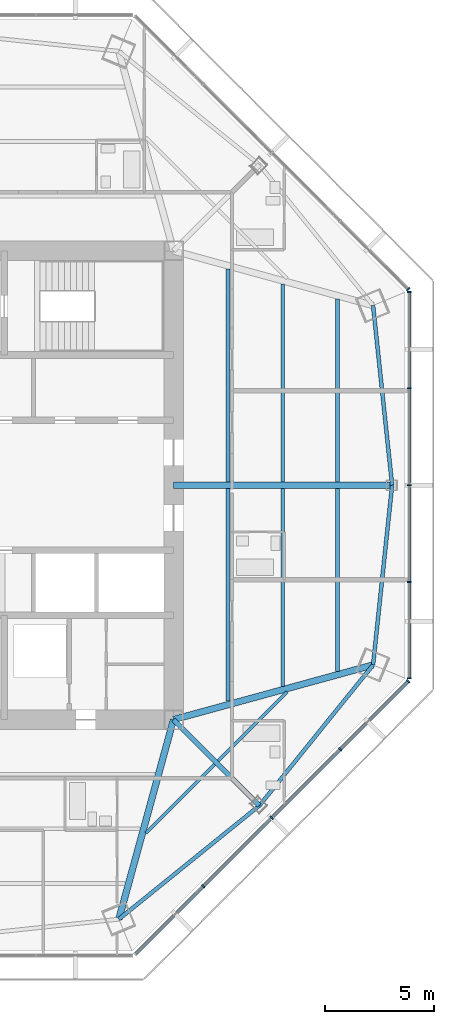
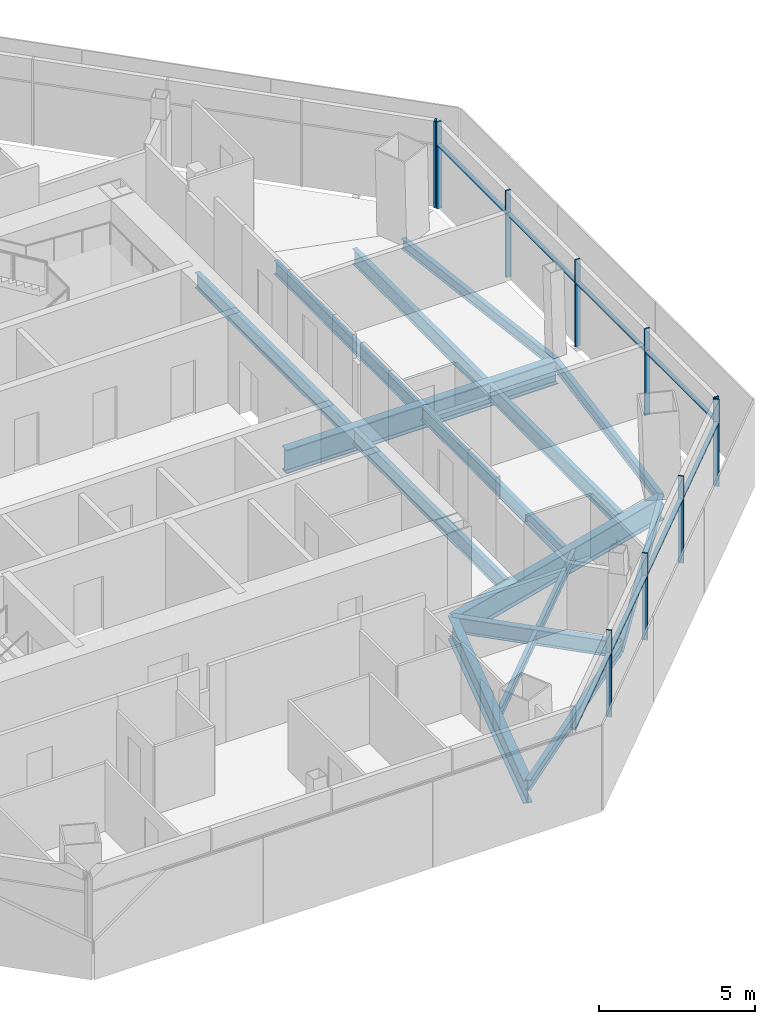
# One storey, part 4 of 15: 18 members, 16 beams, 3 elements without a shape of their own.
"""IFC4 building model written with IfcOpenShell, lengths in metres."""

from ifc_helpers import new_model, si_unit, direction, frame, origin, origin_2d, place, context, subcontext, project, spatial, rectangle, i_section, extrude, source, transform, mapped, material, material_profile, profile_set, type_object, type_shapes, element, aggregate, save


model = new_model("IFC4")

# Units and contexts
model_context = context("Model", 3, precision=1e-05, world=origin(), true_north=direction((0.0, 1.0)))
body_context = subcontext(model_context, "Body", "Model", "MODEL_VIEW")
ifc_project = project(units=[si_unit("LENGTHUNIT", "METRE"), si_unit("AREAUNIT", "SQUARE_METRE"), si_unit("VOLUMEUNIT", "CUBIC_METRE"), si_unit("PLANEANGLEUNIT", "RADIAN"), si_unit("MASSUNIT", "GRAM", prefix="KILO")], contexts=[model_context])

# Site, building, storey
site_placement = place(None, origin())
site = spatial("IfcSite", under=ifc_project, at=site_placement, CompositionType="ELEMENT")
building_placement = place(site_placement, origin())
building = spatial("IfcBuilding", under=site, at=building_placement, Name="Mashrafa Tower", CompositionType="ELEMENT")
storey_placement = place(building_placement, frame((0.0, 0.0, 224.39990234375)))
storey = spatial("IfcBuildingStorey", under=building, at=storey_placement, Name="L52", CompositionType="ELEMENT", Elevation=224.39990234375)

# Beams
ifc_material_1 = material(Name="Steel ASTM A992", Category="steel")
ifc_material_profile_1 = material_profile(ifc_material_1, i_section(OverallWidth=0.140380859375, OverallDepth=0.40380859375, WebThickness=0.007080078125, FlangeThickness=0.01123046875, FilletRadius=0.01025390625, at=origin_2d()), Name="W16X31")
ifc_profile_set_1 = profile_set([ifc_material_profile_1], Name="Steel ASTM A992")
beam_type_1 = type_object("IfcBeamType", Name="Beam W16X31", PredefinedType="BEAM", material=ifc_profile_set_1)
for number, where, z_axis, x_axis, name in (
    (1, (12.698486328125, -12.860595703125, -0.40185546875), (-0.707106781187, -0.707106781187, 0.0), (0.707106781187, -0.707106781187, 0.0), "Floor beam L52 024"),
    (2, (16.03466796875, -9.5244140625, -0.40185546875), (-0.707106781187, -0.707106781187, 0.0), (0.707106781187, -0.707106781187, 0.0), "Floor beam L52 030"),
):
    element("IfcBeam", number, at=place(storey_placement, frame(where, z_axis=z_axis, x_axis=x_axis)), inside=storey, type_object=beam_type_1, Name=name, PredefinedType="BEAM", context=body_context, shape_type="SweptSolid", body=[
        extrude(i_section(OverallWidth=0.140380859375, OverallDepth=0.40380859375, WebThickness=0.007080078125, FlangeThickness=0.01123046875, FilletRadius=0.01025390625, at=origin_2d()), origin(), (0.0, 0.0, 1.0), 4.48876953125),
    ])
ifc_material_2 = material(Name="Steel ASTM A992", Category="steel")
ifc_material_profile_2 = material_profile(ifc_material_2, i_section(OverallWidth=0.177734375, OverallDepth=0.406494140625, WebThickness=0.0078125, FlangeThickness=0.012939453125, FilletRadius=0.01025390625, at=origin_2d()), Name="W16X40")
ifc_profile_set_2 = profile_set([ifc_material_profile_2], Name="Steel ASTM A992")
beam_type_2 = type_object("IfcBeamType", Name="Beam W16X40", PredefinedType="BEAM", material=ifc_profile_set_2)
for number, where, z_axis, x_axis, name in (
    (3, (8.281982421875, -19.994140625, -0.403076171875), (0.777727295648, 0.628601824372, 0.0), (-0.628601824372, 0.777727295648, 0.0), "Spandrel beam L52 058"),
    (4, (14.759033203125, -14.759033203125, -0.403076171875), (0.628601824372, 0.777727295648, 0.0), (-0.777727295648, 0.628601824372, 0.0), "Spandrel beam L52 060"),
):
    element("IfcBeam", number, at=place(storey_placement, frame(where, z_axis=z_axis, x_axis=x_axis)), inside=storey, type_object=beam_type_2, Name=name, PredefinedType="BEAM", context=body_context, shape_type="SweptSolid", body=[
        extrude(i_section(OverallWidth=0.177734375, OverallDepth=0.406494140625, WebThickness=0.0078125, FlangeThickness=0.012939453125, FilletRadius=0.01025390625, at=origin_2d()), origin(), (0.0, 0.0, 1.0), 8.328125),
    ])
for number, where, z_axis, x_axis, name in (
    (5, (19.994140625, -8.281982421875, -0.403076171875), (0.105443148365, 0.994425332774, 0.0), (-0.994425332774, 0.105443148365, 0.0), "Spandrel beam L52 062"),
    (6, (20.872314453125, 0.0, -0.403076171875), (-0.105443148365, 0.994425332774, 0.0), (-0.994425332774, -0.105443148365, 0.0), "Spandrel beam L52 064"),
):
    element("IfcBeam", number, at=place(storey_placement, frame(where, z_axis=z_axis, x_axis=x_axis)), inside=storey, type_object=beam_type_2, Name=name, PredefinedType="BEAM", context=body_context, shape_type="SweptSolid", body=[
        extrude(i_section(OverallWidth=0.177734375, OverallDepth=0.406494140625, WebThickness=0.0078125, FlangeThickness=0.012939453125, FilletRadius=0.01025390625, at=origin_2d()), origin(), (0.0, 0.0, 1.0), 8.328369140625),
    ])
ifc_material_3 = material(Name="Steel ASTM A992", Category="steel")
ifc_material_profile_3 = material_profile(ifc_material_3, i_section(OverallWidth=0.1650390625, OverallDepth=0.52587890625, WebThickness=0.0087890625, FlangeThickness=0.011474609375, FilletRadius=0.0126953125, at=origin_2d()), Name="W21X44")
ifc_profile_set_3 = profile_set([ifc_material_profile_3], Name="Steel ASTM A992")
beam_type_3 = type_object("IfcBeamType", Name="Beam W21X44", PredefinedType="BEAM", material=ifc_profile_set_3)
for number, where, z_axis, x_axis, name in (
    (7, (15.836181640625, -0.15380859375, -0.462890625), (0.0, -1.0, 0.0), (1.0, 0.0, 0.0), "Floor beam L52 028"),
    (8, (15.836181640625, 9.2626953125, -0.462890625), (0.0, -1.0, 0.0), (1.0, 0.0, 0.0), "Floor beam L52 029"),
):
    element("IfcBeam", number, at=place(storey_placement, frame(where, z_axis=z_axis, x_axis=x_axis)), inside=storey, type_object=beam_type_3, Name=name, PredefinedType="BEAM", context=body_context, shape_type="SweptSolid", body=[
        extrude(i_section(OverallWidth=0.1650390625, OverallDepth=0.52587890625, WebThickness=0.0087890625, FlangeThickness=0.011474609375, FilletRadius=0.0126953125, at=origin_2d()), origin(), (0.0, 0.0, 1.0), 9.10888671875),
    ])
ifc_material_4 = material(Name="Steel ASTM A992", Category="steel")
ifc_material_profile_4 = material_profile(ifc_material_4, i_section(OverallWidth=0.177978515625, OverallDepth=0.599365234375, WebThickness=0.010009765625, FlangeThickness=0.012939453125, FilletRadius=0.012939453125, at=origin_2d()), Name="W24X55")
ifc_profile_set_4 = profile_set([ifc_material_profile_4], Name="Steel ASTM A992")
beam_type_4 = type_object("IfcBeamType", Name="Beam W24X55", PredefinedType="BEAM", material=ifc_profile_set_4)
for number, where, z_axis, x_axis, name in (
    (9, (13.318115234375, -0.15380859375, -0.49951171875), (0.0, -1.0, 0.0), (1.0, 0.0, 0.0), "Floor beam L52 026"),
    (10, (13.318115234375, 9.952392578125, -0.49951171875), (0.0, -1.0, 0.0), (1.0, 0.0, 0.0), "Floor beam L52 027"),
):
    element("IfcBeam", number, at=place(storey_placement, frame(where, z_axis=z_axis, x_axis=x_axis)), inside=storey, type_object=beam_type_4, Name=name, PredefinedType="BEAM", context=body_context, shape_type="SweptSolid", body=[
        extrude(i_section(OverallWidth=0.177978515625, OverallDepth=0.599365234375, WebThickness=0.010009765625, FlangeThickness=0.012939453125, FilletRadius=0.012939453125, at=origin_2d()), origin(), (0.0, 0.0, 1.0), 9.798583984375),
    ])
for number, where, z_axis, x_axis, name in (
    (11, (18.354248046875, -0.15380859375, -0.49951171875), (0.0, -1.0, 0.0), (1.0, 0.0, 0.0), "Floor beam L52 031"),
    (12, (18.354248046875, 8.572998046875, -0.49951171875), (0.0, -1.0, 0.0), (1.0, 0.0, 0.0), "Floor beam L52 032"),
):
    element("IfcBeam", number, at=place(storey_placement, frame(where, z_axis=z_axis, x_axis=x_axis)), inside=storey, type_object=beam_type_4, Name=name, PredefinedType="BEAM", context=body_context, shape_type="SweptSolid", body=[
        extrude(i_section(OverallWidth=0.177978515625, OverallDepth=0.599365234375, WebThickness=0.010009765625, FlangeThickness=0.012939453125, FilletRadius=0.012939453125, at=origin_2d()), origin(), (0.0, 0.0, 1.0), 8.419189453125),
    ])
ifc_material_5 = material(Name="Steel ASTM A992", Category="steel")
ifc_material_profile_5 = material_profile(ifc_material_5, i_section(OverallWidth=0.22900390625, OverallDepth=0.612060546875, WebThickness=0.011962890625, FlangeThickness=0.01953125, FilletRadius=0.0126953125, at=origin_2d()), Name="W24X84")
ifc_profile_set_5 = profile_set([ifc_material_profile_5], Name="Steel ASTM A992")
beam_type_5 = type_object("IfcBeamType", Name="Beam W24X84", PredefinedType="BEAM", material=ifc_profile_set_5)
beam_1_placement = place(storey_placement, frame((10.800048828125, -10.800048828125, -0.505859375), z_axis=(0.707106781187, -0.707106781187, 0.0), x_axis=(0.707106781187, 0.707106781187, 0.0)))
element("IfcBeam", 13, at=beam_1_placement, inside=storey, type_object=beam_type_5, Name="Radial girder L52 043", PredefinedType="BEAM", context=body_context, shape_type="SweptSolid", body=[
    extrude(i_section(OverallWidth=0.22900390625, OverallDepth=0.612060546875, WebThickness=0.011962890625, FlangeThickness=0.01953125, FilletRadius=0.0126953125, at=origin_2d()), origin(), (0.0, 0.0, 1.0), 5.598876953125),
])
ifc_material_6 = material(Name="Steel ASTM A992", Category="steel")
ifc_material_profile_6 = material_profile(ifc_material_6, i_section(OverallWidth=0.3046875, OverallDepth=0.911865234375, WebThickness=0.015869140625, FlangeThickness=0.02392578125, FilletRadius=0.01904296875, at=origin_2d()), Name="W36X150")
ifc_profile_set_6 = profile_set([ifc_material_profile_6], Name="Steel ASTM A992")
beam_type_6 = type_object("IfcBeamType", Name="Beam W36X150", PredefinedType="BEAM", material=ifc_profile_set_6)
for number, where, z_axis, x_axis, name in (
    (14, (10.800048828125, -10.800048828125, -0.65576171875), (-0.264150950588, -0.964481350418, 0.0), (0.964481350418, -0.264150950588, 0.0), "Radial girder L52 042"),
    (15, (10.800048828125, -10.800048828125, -0.65576171875), (0.964481350418, 0.264150950588, 0.0), (-0.264150950588, 0.964481350418, 0.0), "Radial girder L52 044"),
):
    element("IfcBeam", number, at=place(storey_placement, frame(where, z_axis=z_axis, x_axis=x_axis)), inside=storey, type_object=beam_type_6, Name=name, PredefinedType="BEAM", context=body_context, shape_type="SweptSolid", body=[
        extrude(i_section(OverallWidth=0.3046875, OverallDepth=0.911865234375, WebThickness=0.015869140625, FlangeThickness=0.02392578125, FilletRadius=0.01904296875, at=origin_2d()), origin(), (0.0, 0.0, 1.0), 9.53271484375),
    ])
ifc_material_7 = material(Name="Steel ASTM A992", Category="steel")
ifc_material_profile_7 = material_profile(ifc_material_7, i_section(OverallWidth=0.307373046875, OverallDepth=0.927001953125, WebThickness=0.01953125, FlangeThickness=0.031982421875, FilletRadius=0.01904296875, at=origin_2d()), Name="W36X194")
ifc_profile_set_7 = profile_set([ifc_material_profile_7], Name="Steel ASTM A992")
beam_type_7 = type_object("IfcBeamType", Name="Beam W36X194", PredefinedType="BEAM", material=ifc_profile_set_7)
beam_2_placement = place(storey_placement, frame((10.800048828125, 0.0, -0.66357421875), z_axis=(1.0, 0.0, 0.0), x_axis=(0.0, 1.0, 0.0)))
element("IfcBeam", 16, at=beam_2_placement, inside=storey, type_object=beam_type_7, Name="Radial girder L52 045", PredefinedType="BEAM", context=body_context, shape_type="SweptSolid", body=[
    extrude(i_section(OverallWidth=0.307373046875, OverallDepth=0.927001953125, WebThickness=0.01953125, FlangeThickness=0.031982421875, FilletRadius=0.01904296875, at=origin_2d()), origin(), (0.0, 0.0, 1.0), 10.072265625),
])

# Curtain wall, members
ifc_material_8 = material(Name="Unitised aluminium curtain wall", Category="aluminium")
curtain_wall_type = type_object("IfcCurtainWallType", Name="Apartment curtain wall, zone 3 CW-C 180 deep", PredefinedType="NOTDEFINED", material=ifc_material_8)
curtain_wall_1_placement = place(storey_placement, origin())
curtain_wall_1 = element("IfcCurtainWall", 17, at=curtain_wall_1_placement, inside=storey, type_object=curtain_wall_type, Name="Apartment curtain wall, zone 3 L52 east", PredefinedType="NOTDEFINED")
ifc_material_9 = material(Name="Extruded aluminium mullion", Category="aluminium")
ifc_material_profile_8 = material_profile(ifc_material_9, rectangle(XDim=0.179931640625, YDim=0.06005859375, at=origin_2d()), Name="Mullion 60x180")
ifc_profile_set_8 = profile_set([ifc_material_profile_8], Name="Extruded aluminium mullion")
member_type_1 = type_object("IfcMemberType", Name="Mullion CW-C 60 x 180", PredefinedType="MULLION", material=ifc_profile_set_8)
shared_shape_1 = source(origin(), body_context, "Body", "SweptSolid", [
    extrude(rectangle(XDim=0.179931640625, YDim=0.06005859375, at=origin_2d()), origin(), (0.0, 0.0, 1.0), 3.400146484375),
])
type_shapes(member_type_1, [shared_shape_1])
member_1_placement = place(storey_placement, frame((21.666748046875, -8.8974609375, 0.0), z_axis=(0.0, 0.0, 1.0), x_axis=(-1.0, 0.0, 0.0)))
member_1 = element("IfcMember", 18, at=member_1_placement, type_object=member_type_1, Name="CW-C mullion 1", PredefinedType="MULLION", context=body_context, shape_type="MappedRepresentation", body=[
    mapped(shared_shape_1, transform((0.0, 0.0, 0.0))),
])
member_2_placement = place(storey_placement, frame((21.666748046875, -4.463623046875, 0.0), z_axis=(0.0, 0.0, 1.0), x_axis=(-1.0, 0.0, 0.0)))
member_2 = element("IfcMember", 19, at=member_2_placement, type_object=member_type_1, Name="CW-C mullion 2", PredefinedType="MULLION", context=body_context, shape_type="MappedRepresentation", body=[
    mapped(shared_shape_1, transform((0.0, 0.0, 0.0))),
])
member_3_placement = place(storey_placement, frame((21.666748046875, 0.0, 0.0), z_axis=(0.0, 0.0, 1.0), x_axis=(-1.0, 0.0, 0.0)))
member_3 = element("IfcMember", 20, at=member_3_placement, type_object=member_type_1, Name="CW-C mullion 3", PredefinedType="MULLION", context=body_context, shape_type="MappedRepresentation", body=[
    mapped(shared_shape_1, transform((0.0, 0.0, 0.0))),
])
member_4_placement = place(storey_placement, frame((21.666748046875, 4.463623046875, 0.0), z_axis=(0.0, 0.0, 1.0), x_axis=(-1.0, 0.0, 0.0)))
member_4 = element("IfcMember", 21, at=member_4_placement, type_object=member_type_1, Name="CW-C mullion 4", PredefinedType="MULLION", context=body_context, shape_type="MappedRepresentation", body=[
    mapped(shared_shape_1, transform((0.0, 0.0, 0.0))),
])
member_5_placement = place(storey_placement, frame((21.666748046875, 8.8974609375, 0.0), z_axis=(0.0, 0.0, 1.0), x_axis=(-1.0, 0.0, 0.0)))
member_5 = element("IfcMember", 22, at=member_5_placement, type_object=member_type_1, Name="CW-C mullion 5", PredefinedType="MULLION", context=body_context, shape_type="MappedRepresentation", body=[
    mapped(shared_shape_1, transform((0.0, 0.0, 0.0))),
])

# Curtain wall, member
curtain_wall_2_placement = place(storey_placement, origin())
curtain_wall_2 = element("IfcCurtainWall", 23, at=curtain_wall_2_placement, inside=storey, type_object=curtain_wall_type, Name="Apartment curtain wall, zone 3 L52 north-east", PredefinedType="NOTDEFINED")
member_6_placement = place(storey_placement, frame((21.612060546875, 9.029296875, 0.0), z_axis=(0.0, 0.0, 1.0), x_axis=(-0.707106781187, -0.707106781187, 0.0)))
member_6 = element("IfcMember", 24, at=member_6_placement, type_object=member_type_1, Name="CW-C mullion 1", PredefinedType="MULLION", context=body_context, shape_type="MappedRepresentation", body=[
    mapped(shared_shape_1, transform((0.0, 0.0, 0.0))),
])
aggregate(curtain_wall_2, [member_6])

# Curtain wall, members
curtain_wall_3_placement = place(storey_placement, origin())
curtain_wall_3 = element("IfcCurtainWall", 25, at=curtain_wall_3_placement, inside=storey, type_object=curtain_wall_type, Name="Apartment curtain wall, zone 3 L52 south-east", PredefinedType="NOTDEFINED")
member_7_placement = place(storey_placement, frame((12.164306640625, -18.47705078125, 0.0), z_axis=(0.0, 0.0, 1.0), x_axis=(-0.707106781187, 0.707106781187, 0.0)))
member_7 = element("IfcMember", 26, at=member_7_placement, type_object=member_type_1, Name="CW-C mullion 2", PredefinedType="MULLION", context=body_context, shape_type="MappedRepresentation", body=[
    mapped(shared_shape_1, transform((0.0, 0.0, 0.0))),
])
member_8_placement = place(storey_placement, frame((15.32080078125, -15.32080078125, 0.0), z_axis=(0.0, 0.0, 1.0), x_axis=(-0.707106781187, 0.707106781187, 0.0)))
member_8 = element("IfcMember", 27, at=member_8_placement, type_object=member_type_1, Name="CW-C mullion 3", PredefinedType="MULLION", context=body_context, shape_type="MappedRepresentation", body=[
    mapped(shared_shape_1, transform((0.0, 0.0, 0.0))),
])
member_9_placement = place(storey_placement, frame((18.47705078125, -12.164306640625, 0.0), z_axis=(0.0, 0.0, 1.0), x_axis=(-0.707106781187, 0.707106781187, 0.0)))
member_9 = element("IfcMember", 28, at=member_9_placement, type_object=member_type_1, Name="CW-C mullion 4", PredefinedType="MULLION", context=body_context, shape_type="MappedRepresentation", body=[
    mapped(shared_shape_1, transform((0.0, 0.0, 0.0))),
])
member_10_placement = place(storey_placement, frame((21.612060546875, -9.029296875, 0.0), z_axis=(0.0, 0.0, 1.0), x_axis=(-0.707106781187, 0.707106781187, 0.0)))
member_10 = element("IfcMember", 29, at=member_10_placement, type_object=member_type_1, Name="CW-C mullion 5", PredefinedType="MULLION", context=body_context, shape_type="MappedRepresentation", body=[
    mapped(shared_shape_1, transform((0.0, 0.0, 0.0))),
])

# Member
ifc_material_10 = material(Name="Extruded aluminium transom", Category="aluminium")
ifc_material_profile_9 = material_profile(ifc_material_10, rectangle(XDim=0.14404296875, YDim=0.074951171875, at=origin_2d()), Name="Transom 75x144")
ifc_profile_set_9 = profile_set([ifc_material_profile_9], Name="Extruded aluminium transom")
member_type_2 = type_object("IfcMemberType", Name="Transom CW-C 75 x 144", PredefinedType="MULLION", material=ifc_profile_set_9)
shared_shape_2 = source(origin(), body_context, "Body", "SweptSolid", [
    extrude(rectangle(XDim=0.14404296875, YDim=0.074951171875, at=origin_2d()), origin(), (0.0, 0.0, 1.0), 4.373779296875),
])
member_11_placement = place(storey_placement, frame((21.666748046875, -8.867431640625, 2.5), z_axis=(0.0, 1.0, 0.0), x_axis=(-1.0, 0.0, 0.0)))
member_11 = element("IfcMember", 30, at=member_11_placement, type_object=member_type_2, Name="CW-C transom 1", PredefinedType="MULLION", context=body_context, shape_type="MappedRepresentation", body=[
    mapped(shared_shape_2, transform((0.0, 0.0, 0.0))),
])

member_12_placement = place(storey_placement, frame((21.666748046875, 4.49365234375, 2.5), z_axis=(0.0, 1.0, 0.0), x_axis=(-1.0, 0.0, 0.0)))
member_12 = element("IfcMember", 31, at=member_12_placement, type_object=member_type_2, Name="CW-C transom 4", PredefinedType="MULLION", context=body_context, shape_type="MappedRepresentation", body=[
    mapped(shared_shape_2, transform((0.0, 0.0, 0.0))),
])

member_13_placement = place(storey_placement, frame((9.050537109375, -21.5908203125, 2.5), z_axis=(0.707134690909, 0.707078870362, 0.0), x_axis=(-0.707078870362, 0.707134690909, 0.0)))
member_13 = element("IfcMember", 32, at=member_13_placement, type_object=member_type_2, Name="CW-C transom 1", PredefinedType="MULLION", context=body_context, shape_type="MappedRepresentation", body=[
    mapped(shared_shape_2, transform((0.0, 0.0, 0.0))),
])

member_14_placement = place(storey_placement, frame((18.498291015625, -12.143310546875, 2.5), z_axis=(0.707078870362, 0.707134690909, 0.0), x_axis=(-0.707134690909, 0.707078870362, 0.0)))
member_14 = element("IfcMember", 33, at=member_14_placement, type_object=member_type_2, Name="CW-C transom 4", PredefinedType="MULLION", context=body_context, shape_type="MappedRepresentation", body=[
    mapped(shared_shape_2, transform((0.0, 0.0, 0.0))),
])

shared_shape_3 = source(origin(), body_context, "Body", "SweptSolid", [
    extrude(rectangle(XDim=0.14404296875, YDim=0.074951171875, at=origin_2d()), origin(), (0.0, 0.0, 1.0), 4.403564453125),
])
member_15_placement = place(storey_placement, frame((21.666748046875, -4.43359375, 2.5), z_axis=(0.0, 1.0, 0.0), x_axis=(-1.0, 0.0, 0.0)))
member_15 = element("IfcMember", 34, at=member_15_placement, type_object=member_type_2, Name="CW-C transom 2", PredefinedType="MULLION", context=body_context, shape_type="MappedRepresentation", body=[
    mapped(shared_shape_3, transform((0.0, 0.0, 0.0))),
])

member_16_placement = place(storey_placement, frame((21.666748046875, 0.030029296875, 2.5), z_axis=(0.0, 1.0, 0.0), x_axis=(-1.0, 0.0, 0.0)))
member_16 = element("IfcMember", 35, at=member_16_placement, type_object=member_type_2, Name="CW-C transom 3", PredefinedType="MULLION", context=body_context, shape_type="MappedRepresentation", body=[
    mapped(shared_shape_3, transform((0.0, 0.0, 0.0))),
])

aggregate(curtain_wall_1, [member_1, member_2, member_3, member_4, member_5, member_11, member_15, member_16, member_12])

shared_shape_4 = source(origin(), body_context, "Body", "SweptSolid", [
    extrude(rectangle(XDim=0.14404296875, YDim=0.074951171875, at=origin_2d()), origin(), (0.0, 0.0, 1.0), 4.40380859375),
])
type_shapes(member_type_2, [shared_shape_2, shared_shape_3, shared_shape_4])
member_17_placement = place(storey_placement, frame((12.185546875, -18.455810546875, 2.5), z_axis=(0.707134500537, 0.707079060749, 0.0), x_axis=(-0.707079060749, 0.707134500537, 0.0)))
member_17 = element("IfcMember", 36, at=member_17_placement, type_object=member_type_2, Name="CW-C transom 2", PredefinedType="MULLION", context=body_context, shape_type="MappedRepresentation", body=[
    mapped(shared_shape_4, transform((0.0, 0.0, 0.0))),
])

member_18_placement = place(storey_placement, frame((15.342041015625, -15.299560546875, 2.5), z_axis=(0.707079060749, 0.707134500537, 0.0), x_axis=(-0.707134500537, 0.707079060749, 0.0)))
member_18 = element("IfcMember", 37, at=member_18_placement, type_object=member_type_2, Name="CW-C transom 3", PredefinedType="MULLION", context=body_context, shape_type="MappedRepresentation", body=[
    mapped(shared_shape_4, transform((0.0, 0.0, 0.0))),
])

aggregate(curtain_wall_3, [member_7, member_8, member_9, member_10, member_13, member_17, member_18, member_14])

save(model, "model.ifc")
